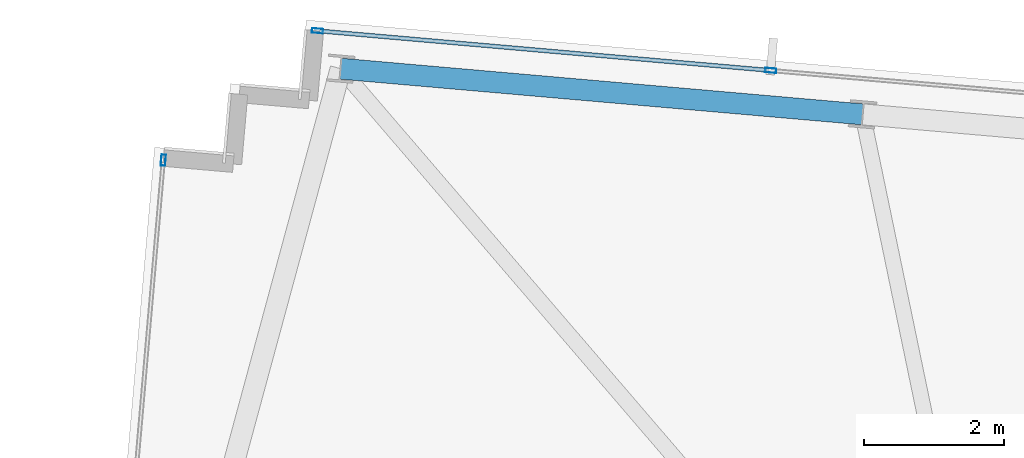
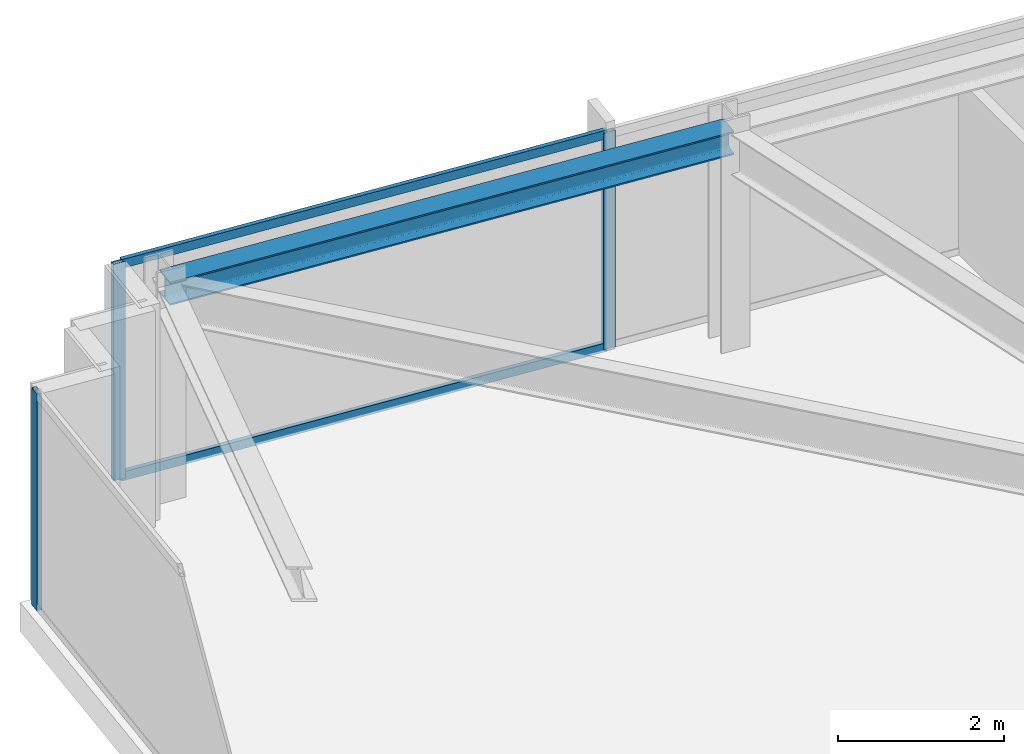
# One storey, part 23 of 32: 5 members, 1 beam, 2 elements without a shape of their own.
"""IFC4 building model written with IfcOpenShell, lengths in metres."""

from ifc_helpers import new_model, si_unit, direction, frame, origin, origin_2d, place, context, subcontext, project, spatial, hollow_rectangle, i_section, extrude, material, material_profile, profile_set, type_object, element, aggregate, save


model = new_model("IFC4")

# Units and contexts
model_context = context("Model", 3, precision=1e-05, world=origin(), true_north=direction((0.0, 1.0)))
body_context = subcontext(model_context, "Body", "Model", "MODEL_VIEW")
ifc_project = project(units=[si_unit("LENGTHUNIT", "METRE"), si_unit("AREAUNIT", "SQUARE_METRE"), si_unit("VOLUMEUNIT", "CUBIC_METRE"), si_unit("PLANEANGLEUNIT", "RADIAN"), si_unit("MASSUNIT", "GRAM", prefix="KILO")], contexts=[model_context])

# Site, building, storey
site_placement = place(None, origin())
site = spatial("IfcSite", under=ifc_project, at=site_placement, CompositionType="ELEMENT")
building_placement = place(site_placement, origin())
building = spatial("IfcBuilding", under=site, at=building_placement, Name="Yelkora Congress Tower", CompositionType="ELEMENT")
storey_placement = place(building_placement, frame((0.0, 0.0, 259.10009765625)))
storey = spatial("IfcBuildingStorey", under=building, at=storey_placement, Name="L72", CompositionType="ELEMENT", Elevation=259.10009765625)

# Beam
ifc_material_1 = material(Name="Steel S355J2", Category="steel")
ifc_material_profile_1 = material_profile(ifc_material_1, i_section(OverallWidth=0.300048828125, OverallDepth=0.340087890625, WebThickness=0.011962890625, FlangeThickness=0.021484375, FilletRadius=0.027099609375, at=origin_2d()), Name="HEB 340")
ifc_profile_set_1 = profile_set([ifc_material_profile_1], Name="Steel S355J2")
beam_type = type_object("IfcBeamType", Name="BM-SPAN-HEB340", PredefinedType="SPANDREL", material=ifc_profile_set_1)
beam_placement = place(storey_placement, frame((18.058837890625, 49.231689453125, 3.010009765625), z_axis=(-0.996193186297, 0.08717302092, 0.0), x_axis=(-0.08717302092, -0.996193186297, 0.0)))
element("IfcBeam", 1, at=beam_placement, inside=storey, type_object=beam_type, Name="L72 Perimeter Beam 12", PredefinedType="SPANDREL", context=body_context, shape_type="SweptSolid", body=[
    extrude(i_section(OverallWidth=0.300048828125, OverallDepth=0.340087890625, WebThickness=0.011962890625, FlangeThickness=0.021484375, FilletRadius=0.027099609375, at=origin_2d()), origin(), (0.0, 0.0, 1.0), 7.4833984375),
])

# Curtain wall, member
ifc_material_2 = material(Name="Anodised aluminium and insulated glass", Category="aluminium")
curtain_wall_type = type_object("IfcCurtainWallType", Name="CW-SYS-B5", PredefinedType="NOTDEFINED", material=ifc_material_2)
curtain_wall_1_placement = place(storey_placement, origin())
curtain_wall_1 = element("IfcCurtainWall", 2, at=curtain_wall_1_placement, inside=storey, type_object=curtain_wall_type, Name="L72 Unitised Curtain Wall 5", PredefinedType="NOTDEFINED")
ifc_material_3 = material(Name="Anodised aluminium 6063-T6", Category="aluminium")
ifc_material_profile_2 = material_profile(ifc_material_3, hollow_rectangle(XDim=0.06494140625, YDim=0.159912109375, WallThickness=0.00390625, at=origin_2d()), Name="ALU 65x160x4")
ifc_profile_set_2 = profile_set([ifc_material_profile_2], Name="Anodised aluminium 6063-T6")
member_type_1 = type_object("IfcMemberType", Name="MEM-ML-B5", PredefinedType="MULLION", material=ifc_profile_set_2)
member_1_placement = place(storey_placement, frame((8.070556640625, 48.577392578125, 0.0), z_axis=(0.0, 0.0, 1.0), x_axis=(-0.996194785929, 0.08715473876, 0.0)))
member_1 = element("IfcMember", 3, at=member_1_placement, type_object=member_type_1, Name="CW-B5 mullion 5", PredefinedType="MULLION", context=body_context, shape_type="SweptSolid", body=[
    extrude(hollow_rectangle(XDim=0.06494140625, YDim=0.159912109375, WallThickness=0.00390625, at=origin_2d()), origin(), (0.0, 0.0, 1.0), 3.179931640625),
])
aggregate(curtain_wall_1, [member_1])

# Curtain wall, members
curtain_wall_2_placement = place(storey_placement, origin())
curtain_wall_2 = element("IfcCurtainWall", 4, at=curtain_wall_2_placement, inside=storey, type_object=curtain_wall_type, Name="L72 Unitised Curtain Wall 10", PredefinedType="NOTDEFINED")
member_2_placement = place(storey_placement, frame((10.2724609375, 50.425048828125, 0.0), z_axis=(0.0, 0.0, 1.0), x_axis=(0.087156639893, 0.996194619601, 0.0)))
member_2 = element("IfcMember", 5, at=member_2_placement, type_object=member_type_1, Name="CW-B5 mullion 1", PredefinedType="MULLION", context=body_context, shape_type="SweptSolid", body=[
    extrude(hollow_rectangle(XDim=0.06494140625, YDim=0.159912109375, WallThickness=0.00390625, at=origin_2d()), origin(), (0.0, 0.0, 1.0), 3.179931640625),
])
member_3_placement = place(storey_placement, frame((16.74658203125, 49.858642578125, 0.0), z_axis=(0.0, 0.0, 1.0), x_axis=(0.087156639893, 0.996194619601, 0.0)))
member_3 = element("IfcMember", 6, at=member_3_placement, type_object=member_type_1, Name="CW-B5 mullion 2", PredefinedType="MULLION", context=body_context, shape_type="SweptSolid", body=[
    extrude(hollow_rectangle(XDim=0.06494140625, YDim=0.159912109375, WallThickness=0.00390625, at=origin_2d()), origin(), (0.0, 0.0, 1.0), 3.179931640625),
])
ifc_material_profile_3 = material_profile(ifc_material_3, hollow_rectangle(XDim=0.06005859375, YDim=0.1298828125, WallThickness=0.00390625, at=origin_2d()), Name="ALU 60x130x4")
ifc_profile_set_3 = profile_set([ifc_material_profile_3], Name="Anodised aluminium 6063-T6")
member_type_2 = type_object("IfcMemberType", Name="MEM-TR-B5", PredefinedType="USERDEFINED", material=ifc_profile_set_3)
member_4_placement = place(storey_placement, frame((10.3046875, 50.422119140625, 0.02978515625), z_axis=(0.996194170551, -0.08716177236, 0.0), x_axis=(0.08716177236, 0.996194170551, 0.0)))
member_4 = element("IfcMember", 7, at=member_4_placement, type_object=member_type_2, Name="CW-B5 transom 1.1", ObjectType="TRANSOM", PredefinedType="USERDEFINED", context=body_context, shape_type="SweptSolid", body=[
    extrude(hollow_rectangle(XDim=0.06005859375, YDim=0.1298828125, WallThickness=0.00390625, at=origin_2d()), origin(), (0.0, 0.0, 1.0), 6.433837890625),
])
member_5_placement = place(storey_placement, frame((10.3046875, 50.422119140625, 3.14990234375), z_axis=(0.996194170551, -0.08716177236, 0.0), x_axis=(0.08716177236, 0.996194170551, 0.0)))
member_5 = element("IfcMember", 8, at=member_5_placement, type_object=member_type_2, Name="CW-B5 transom 1.2", ObjectType="TRANSOM", PredefinedType="USERDEFINED", context=body_context, shape_type="SweptSolid", body=[
    extrude(hollow_rectangle(XDim=0.06005859375, YDim=0.1298828125, WallThickness=0.00390625, at=origin_2d()), origin(), (0.0, 0.0, 1.0), 6.433837890625),
])
aggregate(curtain_wall_2, [member_2, member_3, member_4, member_5])

save(model, "model.ifc")
